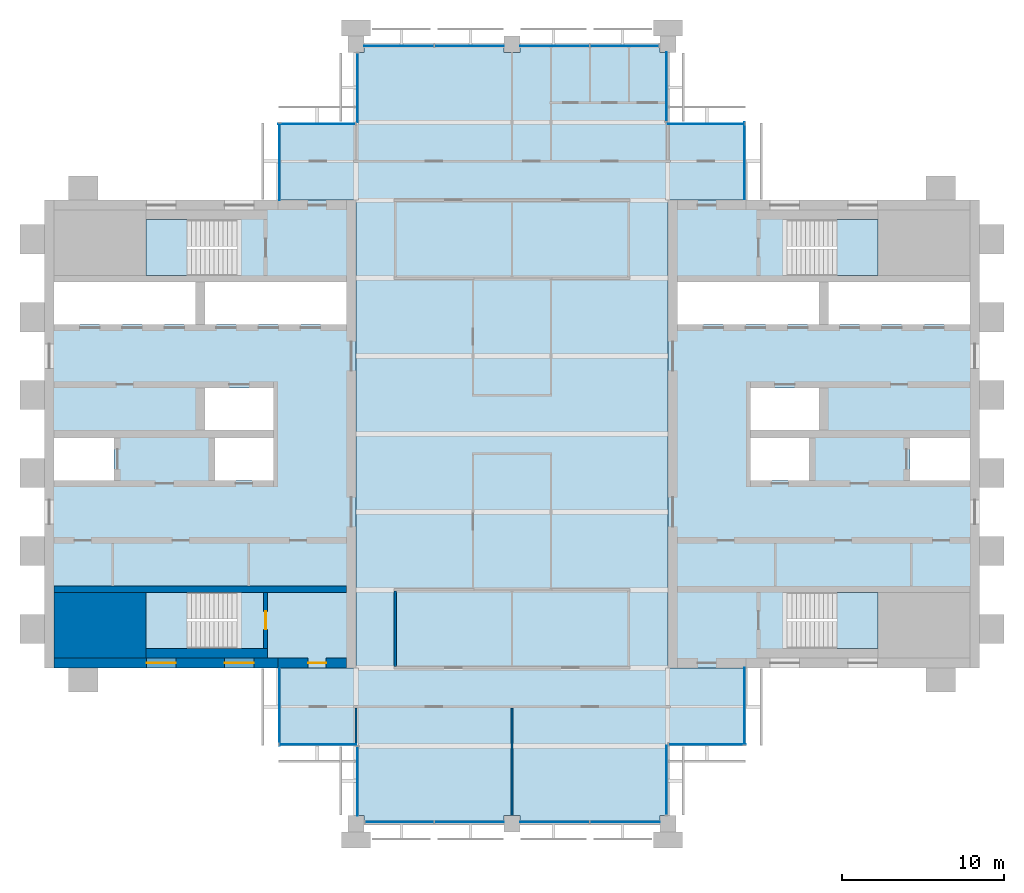
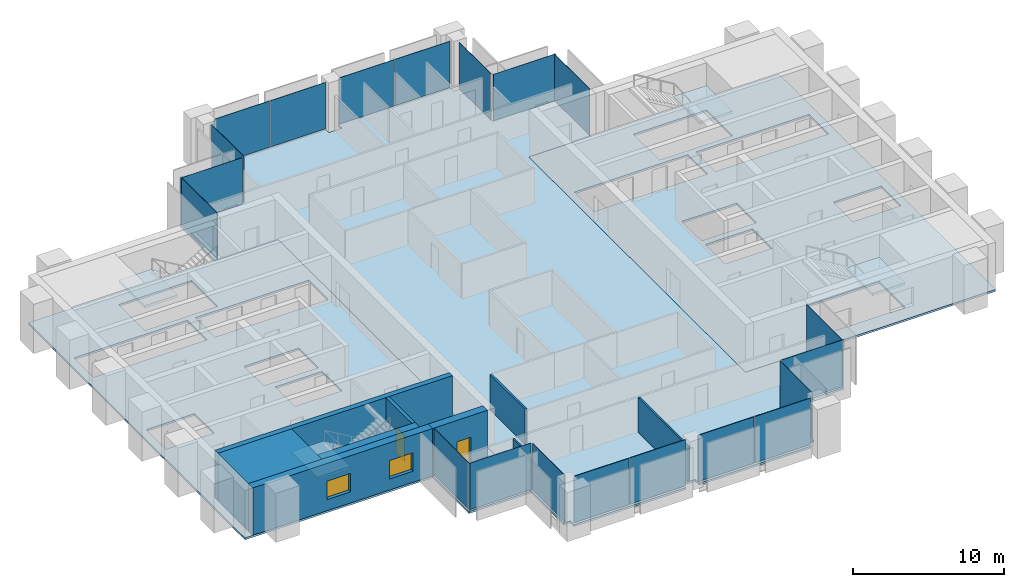
# One storey, part 7 of 12: 20 plates, 9 walls, 7 slabs, 2 doors, 2 windows, 4 openings, 18 elements without a shape of their own.
"""IFC4 building model written with IfcOpenShell, lengths in metres."""

from ifc_helpers import new_model, si_unit, direction, frame, frame_2d, origin, origin_2d, place, context, subcontext, project, spatial, polyline, rectangle, outline, extrude, material, layer, layer_set, type_object, element, fill, aggregate, save


model = new_model("IFC4")

# Units and contexts
model_context = context("Model", 3, precision=1e-05, world=origin(), true_north=direction((0.0, 1.0)))
body_context = subcontext(model_context, "Body", "Model", "MODEL_VIEW")
ifc_project = project(units=[si_unit("LENGTHUNIT", "METRE"), si_unit("AREAUNIT", "SQUARE_METRE"), si_unit("VOLUMEUNIT", "CUBIC_METRE"), si_unit("PLANEANGLEUNIT", "RADIAN"), si_unit("MASSUNIT", "GRAM", prefix="KILO")], contexts=[model_context])

# Site, building, storey
site_placement = place(None, origin())
site = spatial("IfcSite", under=ifc_project, at=site_placement, CompositionType="ELEMENT")
building_placement = place(site_placement, origin())
building = spatial("IfcBuilding", under=site, at=building_placement, Name="Baori Bourse Tower", CompositionType="ELEMENT")
storey_placement = place(building_placement, frame((0.0, 0.0, 298.300048828125)))
storey = spatial("IfcBuildingStorey", under=building, at=storey_placement, Name="L65", CompositionType="ELEMENT", Elevation=298.300048828125)

# Curtain wall, plate
ifc_material_1 = material(Name="Pale anodised aluminium", Category="aluminium")
curtain_wall_type_1 = type_object("IfcCurtainWallType", Name="CW2 Curtain wall", PredefinedType="NOTDEFINED", material=ifc_material_1)
curtain_wall_1_placement = place(storey_placement, origin())
curtain_wall_1 = element("IfcCurtainWall", 1, at=curtain_wall_1_placement, inside=storey, type_object=curtain_wall_type_1, Name="Curtain wall CW2 L65 1", PredefinedType="NOTDEFINED")
ifc_material_2 = material(Name="Clear glass", Category="glass")
ifc_layer_1 = layer(ifc_material_2, 0.030029296875)
ifc_layer_set_1 = layer_set([ifc_layer_1], Name="CW2 Curtain wall panel")
plate_type_1 = type_object("IfcPlateType", Name="CW2 Curtain wall panel", PredefinedType="CURTAIN_PANEL", material=ifc_layer_set_1)
plate_1_placement = place(storey_placement, frame((43.110107421875, 40.827392578125, 0.06982421875), z_axis=(0.0, 0.0, 1.0), x_axis=(0.0, 1.0, 0.0)))
plate_1 = element("IfcPlate", 2, at=plate_1_placement, type_object=plate_type_1, Name="Curtain wall CW2 panel", PredefinedType="CURTAIN_PANEL", context=body_context, shape_type="SweptSolid", body=[
    extrude(rectangle(XDim=4.7451171875, YDim=0.030029296875, at=origin_2d()), origin(), (0.0, 0.0, 1.0), 3.77001953125),
])
aggregate(curtain_wall_1, [plate_1])

curtain_wall_2_placement = place(storey_placement, origin())
curtain_wall_2 = element("IfcCurtainWall", 3, at=curtain_wall_2_placement, inside=storey, type_object=curtain_wall_type_1, Name="Curtain wall CW2 L65 2", PredefinedType="NOTDEFINED")
plate_2_placement = place(storey_placement, frame((40.7724609375, 43.110107421875, 0.06982421875), z_axis=(0.0, 0.0, 1.0), x_axis=(-1.0, 0.0, 0.0)))
plate_2 = element("IfcPlate", 4, at=plate_2_placement, type_object=plate_type_1, Name="Curtain wall CW2 panel", PredefinedType="CURTAIN_PANEL", context=body_context, shape_type="SweptSolid", body=[
    extrude(rectangle(XDim=4.7451171875, YDim=0.030029296875, at=origin_2d()), origin(), (0.0, 0.0, 1.0), 3.77001953125),
])
aggregate(curtain_wall_2, [plate_2])

curtain_wall_3_placement = place(storey_placement, origin())
curtain_wall_3 = element("IfcCurtainWall", 5, at=curtain_wall_3_placement, inside=storey, type_object=curtain_wall_type_1, Name="Curtain wall CW2 L65 3", PredefinedType="NOTDEFINED")
plate_3_placement = place(storey_placement, frame((38.31005859375, 45.37744140625, 0.06982421875), z_axis=(0.0, 0.0, 1.0), x_axis=(0.0, 1.0, 0.0)))
plate_3 = element("IfcPlate", 6, at=plate_3_placement, type_object=plate_type_1, Name="Curtain wall CW2 panel", PredefinedType="CURTAIN_PANEL", context=body_context, shape_type="SweptSolid", body=[
    extrude(rectangle(XDim=4.2451171875, YDim=0.030029296875, at=origin_2d()), origin(), (0.0, 0.0, 1.0), 3.77001953125),
])
aggregate(curtain_wall_3, [plate_3])

curtain_wall_4_placement = place(storey_placement, origin())
curtain_wall_4 = element("IfcCurtainWall", 7, at=curtain_wall_4_placement, inside=storey, type_object=curtain_wall_type_1, Name="Curtain wall CW2 L65 5", PredefinedType="NOTDEFINED")
plate_4_placement = place(storey_placement, frame((19.2900390625, 45.322509765625, 0.06982421875), z_axis=(0.0, 0.0, 1.0), x_axis=(0.0, -1.0, 0.0)))
plate_4 = element("IfcPlate", 8, at=plate_4_placement, type_object=plate_type_1, Name="Curtain wall CW2 panel", PredefinedType="CURTAIN_PANEL", context=body_context, shape_type="SweptSolid", body=[
    extrude(rectangle(XDim=4.2451171875, YDim=0.030029296875, at=origin_2d()), origin(), (0.0, 0.0, 1.0), 3.77001953125),
])
aggregate(curtain_wall_4, [plate_4])

curtain_wall_5_placement = place(storey_placement, origin())
curtain_wall_5 = element("IfcCurtainWall", 9, at=curtain_wall_5_placement, inside=storey, type_object=curtain_wall_type_1, Name="Curtain wall CW2 L65 6", PredefinedType="NOTDEFINED")
plate_5_placement = place(storey_placement, frame((16.7724609375, 43.110107421875, 0.06982421875), z_axis=(0.0, 0.0, 1.0), x_axis=(-1.0, 0.0, 0.0)))
plate_5 = element("IfcPlate", 10, at=plate_5_placement, type_object=plate_type_1, Name="Curtain wall CW2 panel", PredefinedType="CURTAIN_PANEL", context=body_context, shape_type="SweptSolid", body=[
    extrude(rectangle(XDim=4.7451171875, YDim=0.030029296875, at=origin_2d()), origin(), (0.0, 0.0, 1.0), 3.77001953125),
])
aggregate(curtain_wall_5, [plate_5])

curtain_wall_6_placement = place(storey_placement, origin())
curtain_wall_6 = element("IfcCurtainWall", 11, at=curtain_wall_6_placement, inside=storey, type_object=curtain_wall_type_1, Name="Curtain wall CW2 L65 7", PredefinedType="NOTDEFINED")
plate_6_placement = place(storey_placement, frame((14.489990234375, 40.7724609375, 0.06982421875), z_axis=(0.0, 0.0, 1.0), x_axis=(0.0, -1.0, 0.0)))
plate_6 = element("IfcPlate", 12, at=plate_6_placement, type_object=plate_type_1, Name="Curtain wall CW2 panel", PredefinedType="CURTAIN_PANEL", context=body_context, shape_type="SweptSolid", body=[
    extrude(rectangle(XDim=4.7451171875, YDim=0.030029296875, at=origin_2d()), origin(), (0.0, 0.0, 1.0), 3.77001953125),
])
aggregate(curtain_wall_6, [plate_6])

curtain_wall_7_placement = place(storey_placement, origin())
curtain_wall_7 = element("IfcCurtainWall", 13, at=curtain_wall_7_placement, inside=storey, type_object=curtain_wall_type_1, Name="Curtain wall CW2 L65 8", PredefinedType="NOTDEFINED")
plate_7_placement = place(storey_placement, frame((14.489990234375, 7.172607421875, 0.06982421875), z_axis=(0.0, 0.0, 1.0), x_axis=(0.0, -1.0, 0.0)))
plate_7 = element("IfcPlate", 14, at=plate_7_placement, type_object=plate_type_1, Name="Curtain wall CW2 panel", PredefinedType="CURTAIN_PANEL", context=body_context, shape_type="SweptSolid", body=[
    extrude(rectangle(XDim=4.7451171875, YDim=0.030029296875, at=origin_2d()), origin(), (0.0, 0.0, 1.0), 3.77001953125),
])
aggregate(curtain_wall_7, [plate_7])

curtain_wall_8_placement = place(storey_placement, origin())
curtain_wall_8 = element("IfcCurtainWall", 15, at=curtain_wall_8_placement, inside=storey, type_object=curtain_wall_type_1, Name="Curtain wall CW2 L65 9", PredefinedType="NOTDEFINED")
plate_8_placement = place(storey_placement, frame((16.827392578125, 4.889892578125, 0.06982421875), z_axis=(0.0, 0.0, 1.0), x_axis=(1.0, 0.0, 0.0)))
plate_8 = element("IfcPlate", 16, at=plate_8_placement, type_object=plate_type_1, Name="Curtain wall CW2 panel", PredefinedType="CURTAIN_PANEL", context=body_context, shape_type="SweptSolid", body=[
    extrude(rectangle(XDim=4.7451171875, YDim=0.030029296875, at=origin_2d()), origin(), (0.0, 0.0, 1.0), 3.77001953125),
])
aggregate(curtain_wall_8, [plate_8])

curtain_wall_9_placement = place(storey_placement, origin())
curtain_wall_9 = element("IfcCurtainWall", 17, at=curtain_wall_9_placement, inside=storey, type_object=curtain_wall_type_1, Name="Curtain wall CW2 L65 10", PredefinedType="NOTDEFINED")
plate_9_placement = place(storey_placement, frame((19.2900390625, 2.62255859375, 0.06982421875), z_axis=(0.0, 0.0, 1.0), x_axis=(0.0, -1.0, 0.0)))
plate_9 = element("IfcPlate", 18, at=plate_9_placement, type_object=plate_type_1, Name="Curtain wall CW2 panel", PredefinedType="CURTAIN_PANEL", context=body_context, shape_type="SweptSolid", body=[
    extrude(rectangle(XDim=4.2451171875, YDim=0.030029296875, at=origin_2d()), origin(), (0.0, 0.0, 1.0), 3.77001953125),
])
aggregate(curtain_wall_9, [plate_9])

curtain_wall_10_placement = place(storey_placement, origin())
curtain_wall_10 = element("IfcCurtainWall", 19, at=curtain_wall_10_placement, inside=storey, type_object=curtain_wall_type_1, Name="Curtain wall CW2 L65 12", PredefinedType="NOTDEFINED")
plate_10_placement = place(storey_placement, frame((38.31005859375, 2.677490234375, 0.06982421875), z_axis=(0.0, 0.0, 1.0), x_axis=(0.0, 1.0, 0.0)))
plate_10 = element("IfcPlate", 20, at=plate_10_placement, type_object=plate_type_1, Name="Curtain wall CW2 panel", PredefinedType="CURTAIN_PANEL", context=body_context, shape_type="SweptSolid", body=[
    extrude(rectangle(XDim=4.2451171875, YDim=0.030029296875, at=origin_2d()), origin(), (0.0, 0.0, 1.0), 3.77001953125),
])
aggregate(curtain_wall_10, [plate_10])

curtain_wall_11_placement = place(storey_placement, origin())
curtain_wall_11 = element("IfcCurtainWall", 21, at=curtain_wall_11_placement, inside=storey, type_object=curtain_wall_type_1, Name="Curtain wall CW2 L65 13", PredefinedType="NOTDEFINED")
plate_11_placement = place(storey_placement, frame((40.827392578125, 4.889892578125, 0.06982421875), z_axis=(0.0, 0.0, 1.0), x_axis=(1.0, 0.0, 0.0)))
plate_11 = element("IfcPlate", 22, at=plate_11_placement, type_object=plate_type_1, Name="Curtain wall CW2 panel", PredefinedType="CURTAIN_PANEL", context=body_context, shape_type="SweptSolid", body=[
    extrude(rectangle(XDim=4.7451171875, YDim=0.030029296875, at=origin_2d()), origin(), (0.0, 0.0, 1.0), 3.77001953125),
])
aggregate(curtain_wall_11, [plate_11])

curtain_wall_12_placement = place(storey_placement, origin())
curtain_wall_12 = element("IfcCurtainWall", 23, at=curtain_wall_12_placement, inside=storey, type_object=curtain_wall_type_1, Name="Curtain wall CW2 L65 14", PredefinedType="NOTDEFINED")
plate_12_placement = place(storey_placement, frame((43.110107421875, 7.2275390625, 0.06982421875), z_axis=(0.0, 0.0, 1.0), x_axis=(0.0, 1.0, 0.0)))
plate_12 = element("IfcPlate", 24, at=plate_12_placement, type_object=plate_type_1, Name="Curtain wall CW2 panel", PredefinedType="CURTAIN_PANEL", context=body_context, shape_type="SweptSolid", body=[
    extrude(rectangle(XDim=4.7451171875, YDim=0.030029296875, at=origin_2d()), origin(), (0.0, 0.0, 1.0), 3.77001953125),
])
aggregate(curtain_wall_12, [plate_12])

# Curtain wall, plates
ifc_material_3 = material(Name="Pale anodised aluminium", Category="aluminium")
curtain_wall_type_2 = type_object("IfcCurtainWallType", Name="CW5 Curtain wall", PredefinedType="NOTDEFINED", material=ifc_material_3)
curtain_wall_13_placement = place(storey_placement, origin())
curtain_wall_13 = element("IfcCurtainWall", 25, at=curtain_wall_13_placement, inside=storey, type_object=curtain_wall_type_2, Name="Curtain wall CW5 L65 4", PredefinedType="NOTDEFINED")
ifc_material_4 = material(Name="Clear glass", Category="glass")
ifc_layer_2 = layer(ifc_material_4, 0.035888671875)
ifc_layer_set_2 = layer_set([ifc_layer_2], Name="CW5 Curtain wall panel")
plate_type_2 = type_object("IfcPlateType", Name="CW5 Curtain wall panel", PredefinedType="CURTAIN_PANEL", material=ifc_layer_set_2)
plate_13_placement = place(storey_placement, frame((35.733642578125, 47.889892578125, 0.0849609375), z_axis=(0.0, 0.0, 1.0), x_axis=(-1.0, 0.0, 0.0)))
plate_13 = element("IfcPlate", 26, at=plate_13_placement, type_object=plate_type_2, Name="Curtain wall CW5 panel", PredefinedType="CURTAIN_PANEL", context=body_context, shape_type="SweptSolid", body=[
    extrude(rectangle(XDim=4.202392578125, YDim=0.035888671875, at=origin_2d()), origin(), (0.0, 0.0, 1.0), 3.7548828125),
])
plate_14_placement = place(storey_placement, frame((31.433837890625, 47.889892578125, 0.0849609375), z_axis=(0.0, 0.0, 1.0), x_axis=(-1.0, 0.0, 0.0)))
plate_14 = element("IfcPlate", 27, at=plate_14_placement, type_object=plate_type_2, Name="Curtain wall CW5 panel", PredefinedType="CURTAIN_PANEL", context=body_context, shape_type="SweptSolid", body=[
    extrude(rectangle(XDim=4.267578125, YDim=0.035888671875, at=origin_2d()), origin(), (0.0, 0.0, 1.0), 3.7548828125),
])
plate_15_placement = place(storey_placement, frame((26.166259765625, 47.889892578125, 0.0849609375), z_axis=(0.0, 0.0, 1.0), x_axis=(-1.0, 0.0, 0.0)))
plate_15 = element("IfcPlate", 28, at=plate_15_placement, type_object=plate_type_2, Name="Curtain wall CW5 panel", PredefinedType="CURTAIN_PANEL", context=body_context, shape_type="SweptSolid", body=[
    extrude(rectangle(XDim=4.267578125, YDim=0.035888671875, at=origin_2d()), origin(), (0.0, 0.0, 1.0), 3.7548828125),
])
plate_16_placement = place(storey_placement, frame((21.833740234375, 47.889892578125, 0.0849609375), z_axis=(0.0, 0.0, 1.0), x_axis=(-1.0, 0.0, 0.0)))
plate_16 = element("IfcPlate", 29, at=plate_16_placement, type_object=plate_type_2, Name="Curtain wall CW5 panel", PredefinedType="CURTAIN_PANEL", context=body_context, shape_type="SweptSolid", body=[
    extrude(rectangle(XDim=4.267578125, YDim=0.035888671875, at=origin_2d()), origin(), (0.0, 0.0, 1.0), 3.7548828125),
])
aggregate(curtain_wall_13, [plate_13, plate_14, plate_15, plate_16])

curtain_wall_14_placement = place(storey_placement, origin())
curtain_wall_14 = element("IfcCurtainWall", 30, at=curtain_wall_14_placement, inside=storey, type_object=curtain_wall_type_2, Name="Curtain wall CW5 L65 11", PredefinedType="NOTDEFINED")
plate_17_placement = place(storey_placement, frame((21.8662109375, 0.110107421875, 0.0849609375), z_axis=(0.0, 0.0, 1.0), x_axis=(1.0, 0.0, 0.0)))
plate_17 = element("IfcPlate", 31, at=plate_17_placement, type_object=plate_type_2, Name="Curtain wall CW5 panel", PredefinedType="CURTAIN_PANEL", context=body_context, shape_type="SweptSolid", body=[
    extrude(rectangle(XDim=4.202392578125, YDim=0.035888671875, at=origin_2d()), origin(), (0.0, 0.0, 1.0), 3.7548828125),
])
plate_18_placement = place(storey_placement, frame((26.166259765625, 0.110107421875, 0.0849609375), z_axis=(0.0, 0.0, 1.0), x_axis=(1.0, 0.0, 0.0)))
plate_18 = element("IfcPlate", 32, at=plate_18_placement, type_object=plate_type_2, Name="Curtain wall CW5 panel", PredefinedType="CURTAIN_PANEL", context=body_context, shape_type="SweptSolid", body=[
    extrude(rectangle(XDim=4.267578125, YDim=0.035888671875, at=origin_2d()), origin(), (0.0, 0.0, 1.0), 3.7548828125),
])
plate_19_placement = place(storey_placement, frame((31.433837890625, 0.110107421875, 0.0849609375), z_axis=(0.0, 0.0, 1.0), x_axis=(1.0, 0.0, 0.0)))
plate_19 = element("IfcPlate", 33, at=plate_19_placement, type_object=plate_type_2, Name="Curtain wall CW5 panel", PredefinedType="CURTAIN_PANEL", context=body_context, shape_type="SweptSolid", body=[
    extrude(rectangle(XDim=4.267578125, YDim=0.035888671875, at=origin_2d()), origin(), (0.0, 0.0, 1.0), 3.7548828125),
])
plate_20_placement = place(storey_placement, frame((35.766357421875, 0.110107421875, 0.0849609375), z_axis=(0.0, 0.0, 1.0), x_axis=(1.0, 0.0, 0.0)))
plate_20 = element("IfcPlate", 34, at=plate_20_placement, type_object=plate_type_2, Name="Curtain wall CW5 panel", PredefinedType="CURTAIN_PANEL", context=body_context, shape_type="SweptSolid", body=[
    extrude(rectangle(XDim=4.267578125, YDim=0.035888671875, at=origin_2d()), origin(), (0.0, 0.0, 1.0), 3.7548828125),
])
aggregate(curtain_wall_14, [plate_17, plate_18, plate_19, plate_20])

# Slabs
ifc_material_5 = material(Name="Concrete f'c 50 MPa", Category="concrete")
ifc_layer_3 = layer(ifc_material_5, 0.159912109375)
ifc_layer_set_3 = layer_set([ifc_layer_3], Name="Core slab 160")
slab_type_1 = type_object("IfcSlabType", Name="Core slab 160", PredefinedType="FLOOR", material=ifc_layer_set_3)
slab_1_placement = place(storey_placement, frame((0.0, 0.0, -0.16015625)))
element("IfcSlab", 35, at=slab_1_placement, inside=storey, type_object=slab_type_1, Name="Core floor slab W01", PredefinedType="FLOOR", context=body_context, shape_type="SweptSolid", body=[
    extrude(outline(polyline([(19.199951171875, 38.39990234375), (0.0, 38.39990234375), (0.0, 9.60009765625), (19.199951171875, 9.60009765625), (19.199951171875, 38.39990234375)]), holes=[polyline([(9.89990234375, 33.35009765625), (18.60009765625, 33.35009765625), (18.60009765625, 30.75), (9.89990234375, 30.75), (9.89990234375, 33.35009765625)]), polyline([(10.5, 21.14990234375), (10.5, 23.75), (14.10009765625, 23.75), (14.10009765625, 21.14990234375), (10.5, 21.14990234375)]), polyline([(14.10009765625, 24.25), (9.89990234375, 24.25), (9.89990234375, 26.85009765625), (14.10009765625, 26.85009765625), (14.10009765625, 24.25)]), polyline([(6.25, 14.25), (11.84912109375, 14.25), (11.84912109375, 10.800048828125), (6.25, 10.800048828125), (6.25, 14.25)]), polyline([(11.84912109375, 37.199951171875), (11.84912109375, 33.75), (6.25, 33.75), (6.25, 37.199951171875), (11.84912109375, 37.199951171875)]), polyline([(0.60009765625, 30.75), (0.60009765625, 33.35009765625), (9.300048828125, 33.35009765625), (9.300048828125, 30.75), (0.60009765625, 30.75)]), polyline([(4.300048828125, 23.75), (4.300048828125, 21.14990234375), (0.60009765625, 21.14990234375), (0.60009765625, 23.75), (4.300048828125, 23.75)])]), origin(), (0.0, 0.0, 1.0), 0.16015625),
])
slab_2_placement = place(storey_placement, frame((0.0, 0.0, -0.16015625)))
element("IfcSlab", 36, at=slab_2_placement, inside=storey, type_object=slab_type_1, Name="Core floor slab E01", PredefinedType="FLOOR", context=body_context, shape_type="SweptSolid", body=[
    extrude(outline(polyline([(57.60009765625, 9.60009765625), (57.60009765625, 38.39990234375), (38.39990234375, 38.39990234375), (38.39990234375, 9.60009765625), (57.60009765625, 9.60009765625)]), holes=[polyline([(48.300048828125, 33.35009765625), (57.0, 33.35009765625), (57.0, 30.75), (48.300048828125, 30.75), (48.300048828125, 33.35009765625)]), polyline([(57.0, 21.14990234375), (53.300048828125, 21.14990234375), (53.300048828125, 23.75), (57.0, 23.75), (57.0, 21.14990234375)]), polyline([(45.750732421875, 14.25), (51.35009765625, 14.25), (51.35009765625, 10.800048828125), (45.750732421875, 10.800048828125), (45.750732421875, 14.25)]), polyline([(51.35009765625, 37.199951171875), (51.35009765625, 33.75), (45.750732421875, 33.75), (45.750732421875, 37.199951171875), (51.35009765625, 37.199951171875)]), polyline([(43.5, 24.25), (43.5, 26.85009765625), (47.699951171875, 26.85009765625), (47.699951171875, 24.25), (43.5, 24.25)]), polyline([(47.699951171875, 33.35009765625), (47.699951171875, 30.75), (39.0, 30.75), (39.0, 33.35009765625), (47.699951171875, 33.35009765625)]), polyline([(43.5, 23.75), (47.10009765625, 23.75), (47.10009765625, 21.14990234375), (43.5, 21.14990234375), (43.5, 23.75)])]), origin(), (0.0, 0.0, 1.0), 0.16015625),
])

# Stair, slab
ifc_material_6 = material(Name="Concrete f'c 50 MPa", Category="concrete")
stair_type = type_object("IfcStairType", Name="Core stair", PredefinedType="HALF_TURN_STAIR", material=ifc_material_6)
stair_1_placement = place(storey_placement, origin())
stair_1 = element("IfcStair", 37, at=stair_1_placement, inside=storey, type_object=stair_type, Name="L65 Stair WA", PredefinedType="HALF_TURN_STAIR")
ifc_material_7 = material(Name="Concrete f'c 50 MPa", Category="concrete")
slab_type_2 = type_object("IfcSlabType", Name="Core stair landing", PredefinedType="LANDING", material=ifc_material_7)
slab_3_placement = place(storey_placement, frame((0.0, 0.0, 1.800048828125)))
slab_3 = element("IfcSlab", 38, at=slab_3_placement, type_object=slab_type_2, Name="ST1 landing 1", PredefinedType="LANDING", context=body_context, shape_type="SweptSolid", body=[
    extrude(outline(polyline([(8.77001953125, 14.25), (6.25, 14.25), (6.25, 10.800048828125), (8.77001953125, 10.800048828125), (8.77001953125, 14.25)])), origin(), (0.0, 0.0, 1.0), 0.199951171875),
])
aggregate(stair_1, [slab_3])

stair_2_placement = place(storey_placement, origin())
stair_2 = element("IfcStair", 39, at=stair_2_placement, inside=storey, type_object=stair_type, Name="L65 Stair WB", PredefinedType="HALF_TURN_STAIR")
slab_4_placement = place(storey_placement, frame((0.0, 0.0, 1.800048828125)))
slab_4 = element("IfcSlab", 40, at=slab_4_placement, type_object=slab_type_2, Name="ST2 landing 1", PredefinedType="LANDING", context=body_context, shape_type="SweptSolid", body=[
    extrude(outline(polyline([(8.77001953125, 37.199951171875), (6.25, 37.199951171875), (6.25, 33.75), (8.77001953125, 33.75), (8.77001953125, 37.199951171875)])), origin(), (0.0, 0.0, 1.0), 0.199951171875),
])
aggregate(stair_2, [slab_4])

stair_3_placement = place(storey_placement, origin())
stair_3 = element("IfcStair", 41, at=stair_3_placement, inside=storey, type_object=stair_type, Name="L65 Stair EA", PredefinedType="HALF_TURN_STAIR")
slab_5_placement = place(storey_placement, frame((0.0, 0.0, 1.800048828125)))
slab_5 = element("IfcSlab", 42, at=slab_5_placement, type_object=slab_type_2, Name="ST3 landing 1", PredefinedType="LANDING", context=body_context, shape_type="SweptSolid", body=[
    extrude(outline(polyline([(48.830078125, 10.800048828125), (51.35009765625, 10.800048828125), (51.35009765625, 14.25), (48.830078125, 14.25), (48.830078125, 10.800048828125)])), origin(), (0.0, 0.0, 1.0), 0.199951171875),
])
aggregate(stair_3, [slab_5])

stair_4_placement = place(storey_placement, origin())
stair_4 = element("IfcStair", 43, at=stair_4_placement, inside=storey, type_object=stair_type, Name="L65 Stair EB", PredefinedType="HALF_TURN_STAIR")
slab_6_placement = place(storey_placement, frame((0.0, 0.0, 1.800048828125)))
slab_6 = element("IfcSlab", 44, at=slab_6_placement, type_object=slab_type_2, Name="ST4 landing 1", PredefinedType="LANDING", context=body_context, shape_type="SweptSolid", body=[
    extrude(outline(polyline([(48.830078125, 33.75), (51.35009765625, 33.75), (51.35009765625, 37.199951171875), (48.830078125, 37.199951171875), (48.830078125, 33.75)])), origin(), (0.0, 0.0, 1.0), 0.199951171875),
])
aggregate(stair_4, [slab_6])

# Slab
ifc_material_8 = material(Name="Concrete f'c 40 MPa", Category="concrete")
ifc_layer_4 = layer(ifc_material_8, 0.159912109375)
ifc_layer_set_4 = layer_set([ifc_layer_4], Name="Floor slab 160")
slab_type_3 = type_object("IfcSlabType", Name="Floor slab 160", PredefinedType="FLOOR", material=ifc_layer_set_4)
slab_7_placement = place(storey_placement, frame((0.0, 0.0, -0.16015625)))
element("IfcSlab", 45, at=slab_7_placement, inside=storey, type_object=slab_type_3, Name="Floor slab L65", PredefinedType="FLOOR", context=body_context, shape_type="SweptSolid", body=[
    extrude(outline(polyline([(19.199951171875, 4.800048828125), (14.39990234375, 4.800048828125), (14.39990234375, 9.60009765625), (19.199951171875, 9.60009765625), (19.199951171875, 38.39990234375), (14.39990234375, 38.39990234375), (14.39990234375, 43.199951171875), (19.199951171875, 43.199951171875), (19.199951171875, 47.5), (19.699951171875, 47.5), (19.699951171875, 48.0), (28.300048828125, 48.0), (28.300048828125, 47.5), (29.300048828125, 47.5), (29.300048828125, 48.0), (37.89990234375, 48.0), (37.89990234375, 47.5), (38.39990234375, 47.5), (38.39990234375, 43.199951171875), (43.199951171875, 43.199951171875), (43.199951171875, 38.39990234375), (38.39990234375, 38.39990234375), (38.39990234375, 9.60009765625), (43.199951171875, 9.60009765625), (43.199951171875, 4.800048828125), (38.39990234375, 4.800048828125), (38.39990234375, 0.5), (37.89990234375, 0.5), (37.89990234375, 0.0), (29.300048828125, 0.0), (29.300048828125, 0.5), (28.300048828125, 0.5), (28.300048828125, 0.0), (19.699951171875, 0.0), (19.699951171875, 0.5), (19.199951171875, 0.5), (19.199951171875, 4.800048828125)])), origin(), (0.0, 0.0, 1.0), 0.16015625),
])

# Wall
ifc_material_9 = material(Name="Concrete f'c 40 MPa", Category="concrete")
wall_type_1 = type_object("IfcWallType", Name="Core corner block f'c 40", PredefinedType="SHEAR", material=ifc_material_9)
wall_1_placement = place(storey_placement, frame((0.60009765625, 12.22509765625, 0.0), z_axis=(0.0, 0.0, 1.0), x_axis=(1.0, 0.0, 0.0)))
element("IfcWall", 46, at=wall_1_placement, inside=storey, type_object=wall_type_1, Name="Core wall W05", PredefinedType="SHEAR", context=body_context, shape_type="SweptSolid", body=[
    extrude(rectangle(XDim=5.64990234375, YDim=4.050048828125, at=frame_2d((2.824951171875, 0.0))), origin(), (0.0, 0.0, 1.0), 3.83984375),
])

# Wall, openings, windows
ifc_material_10 = material(Name="Concrete f'c 40 MPa", Category="concrete")
ifc_layer_5 = layer(ifc_material_10, 0.60009765625)
ifc_layer_set_5 = layer_set([ifc_layer_5], Name="Core wall 600 f'c 40")
wall_type_2 = type_object("IfcWallType", Name="Core wall 600 f'c 40", PredefinedType="SHEAR", material=ifc_layer_set_5)
wall_2_placement = place(storey_placement, frame((14.39990234375, 9.89990234375, 0.0), z_axis=(0.0, 0.0, 1.0), x_axis=(-1.0, 0.0, 0.0)))
wall_2 = element("IfcWall", 47, at=wall_2_placement, inside=storey, type_object=wall_type_2, Name="Core wall W02", PredefinedType="SHEAR", context=body_context, shape_type="SweptSolid", body=[
    extrude(rectangle(XDim=13.7998046875, YDim=0.60009765625, at=frame_2d((6.89990234375, 0.0))), origin(), (0.0, 0.0, 1.0), 3.83984375),
])
opening_1_placement = place(wall_2_placement, frame((6.300048828125, 0.0, 0.89990234375)))
opening_1 = element("IfcOpeningElement", 48, at=opening_1_placement, cuts=wall_2, Name="Opening L65-KW103", PredefinedType="OPENING", context=body_context, shape_type="SweptSolid", body=[
    extrude(rectangle(XDim=1.800048828125, YDim=1.5, at=frame_2d((0.89990234375, 0.75))), frame((0.0, 0.31005859375, 0.0), z_axis=(0.0, -1.0, 0.0), x_axis=(1.0, 0.0, 0.0)), (0.0, 0.0, 1.0), 0.6201171875),
])
opening_2_placement = place(wall_2_placement, frame((1.5, 0.0, 0.89990234375)))
opening_2 = element("IfcOpeningElement", 49, at=opening_2_placement, cuts=wall_2, Name="Opening L65-KW104", PredefinedType="OPENING", context=body_context, shape_type="SweptSolid", body=[
    extrude(rectangle(XDim=1.800048828125, YDim=1.5, at=frame_2d((0.89990234375, 0.75))), frame((0.0, 0.31005859375, 0.0), z_axis=(0.0, -1.0, 0.0), x_axis=(1.0, 0.0, 0.0)), (0.0, 0.0, 1.0), 0.6201171875),
])
ifc_material_11 = material(Name="Pale anodised aluminium", Category="aluminium")
window_type = type_object("IfcWindowType", Name="Stair window 1800 x 1500", PartitioningType="SINGLE_PANEL", PredefinedType="WINDOW", material=ifc_material_11)
window_1_placement = place(opening_1_placement, origin())
window_1 = element("IfcWindow", 50, at=window_1_placement, inside=storey, type_object=window_type, Name="Stair window W L65 3", OverallHeight=1.5, OverallWidth=1.800048828125, PartitioningType="SINGLE_PANEL", PredefinedType="WINDOW", context=body_context, shape_type="SweptSolid", body=[
    extrude(rectangle(XDim=1.800048828125, YDim=1.5, at=frame_2d((0.89990234375, 0.75))), frame((0.0, 0.030029296875, 0.0), z_axis=(0.0, -1.0, 0.0), x_axis=(1.0, 0.0, 0.0)), (0.0, 0.0, 1.0), 0.06005859375),
])
fill(opening_1, window_1)
window_2_placement = place(opening_2_placement, origin())
window_2 = element("IfcWindow", 51, at=window_2_placement, inside=storey, type_object=window_type, Name="Stair window W L65 4", OverallHeight=1.5, OverallWidth=1.800048828125, PartitioningType="SINGLE_PANEL", PredefinedType="WINDOW", context=body_context, shape_type="SweptSolid", body=[
    extrude(rectangle(XDim=1.800048828125, YDim=1.5, at=frame_2d((0.89990234375, 0.75))), frame((0.0, 0.030029296875, 0.0), z_axis=(0.0, -1.0, 0.0), x_axis=(1.0, 0.0, 0.0)), (0.0, 0.0, 1.0), 0.06005859375),
])
fill(opening_2, window_2)

# Wall, opening, door
wall_3_placement = place(storey_placement, frame((18.60009765625, 9.89990234375, 0.0), z_axis=(0.0, 0.0, 1.0), x_axis=(-1.0, 0.0, 0.0)))
wall_3 = element("IfcWall", 52, at=wall_3_placement, inside=storey, type_object=wall_type_2, Name="Core wall W03", PredefinedType="SHEAR", context=body_context, shape_type="SweptSolid", body=[
    extrude(rectangle(XDim=4.2001953125, YDim=0.60009765625, at=frame_2d((2.10009765625, 0.0))), origin(), (0.0, 0.0, 1.0), 3.83984375),
])
opening_3_placement = place(wall_3_placement, frame((1.25, 0.0, 0.0)))
opening_3 = element("IfcOpeningElement", 53, at=opening_3_placement, cuts=wall_3, Name="Opening L65-D102", PredefinedType="OPENING", context=body_context, shape_type="SweptSolid", body=[
    extrude(rectangle(XDim=1.10009765625, YDim=2.10009765625, at=frame_2d((0.550048828125, 1.050048828125))), frame((0.0, 0.31005859375, 0.0), z_axis=(0.0, -1.0, 0.0), x_axis=(1.0, 0.0, 0.0)), (0.0, 0.0, 1.0), 0.6201171875),
])
ifc_material_12 = material(Name="Painted steel door", Category="steel")
door_type = type_object("IfcDoorType", Name="Stair door 1100", OperationType="SINGLE_SWING_LEFT", PredefinedType="DOOR", material=ifc_material_12)
door_1_placement = place(opening_3_placement, origin())
door_1 = element("IfcDoor", 54, at=door_1_placement, inside=storey, type_object=door_type, Name="Stair vestibule door A W L65", OperationType="SINGLE_SWING_LEFT", OverallHeight=2.10009765625, OverallWidth=1.10009765625, PredefinedType="DOOR", context=body_context, shape_type="SweptSolid", body=[
    extrude(rectangle(XDim=1.10009765625, YDim=2.10009765625, at=frame_2d((0.550048828125, 1.050048828125))), frame((0.0, 0.02490234375, 0.0), z_axis=(0.0, -1.0, 0.0), x_axis=(1.0, 0.0, 0.0)), (0.0, 0.0, 1.0), 0.050048828125),
])
fill(opening_3, door_1)

# Walls
ifc_material_13 = material(Name="Gypsum board partition")
ifc_layer_6 = layer(ifc_material_13, 0.14990234375)
ifc_layer_set_6 = layer_set([ifc_layer_6], Name="Corridor partition 150")
wall_type_3 = type_object("IfcWallType", Name="Corridor partition 150", PredefinedType="PARTITIONING", material=ifc_layer_set_6)
wall_4_placement = place(storey_placement, frame((21.60009765625, 9.675048828125, 0.0), z_axis=(0.0, 0.0, 1.0), x_axis=(0.0, 1.0, 0.0)))
element("IfcWall", 55, at=wall_4_placement, inside=storey, type_object=wall_type_3, Name="Partition", PredefinedType="PARTITIONING", context=body_context, shape_type="SweptSolid", body=[
    extrude(rectangle(XDim=4.64990234375, YDim=0.14990234375, at=frame_2d((2.324951171875, 0.0))), origin(), (0.0, 0.0, 1.0), 2.849365234375),
])
ifc_material_14 = material(Name="Gypsum board partition")
ifc_layer_7 = layer(ifc_material_14, 0.125)
ifc_layer_set_7 = layer_set([ifc_layer_7], Name="Partition 125")
wall_type_4 = type_object("IfcWallType", Name="Partition 125", PredefinedType="PARTITIONING", material=ifc_layer_set_7)
wall_5_placement = place(storey_placement, frame((19.199951171875, 4.89990234375, 0.0), z_axis=(0.0, 0.0, 1.0), x_axis=(0.0, 1.0, 0.0)))
element("IfcWall", 56, at=wall_5_placement, inside=storey, type_object=wall_type_4, Name="Partition", PredefinedType="PARTITIONING", context=body_context, shape_type="SweptSolid", body=[
    extrude(rectangle(XDim=2.22509765625, YDim=0.125, at=frame_2d((1.112548828125, 0.0))), origin(), (0.0, 0.0, 1.0), 2.849365234375),
])
wall_6_placement = place(storey_placement, frame((28.800048828125, 0.5, 0.0), z_axis=(0.0, 0.0, 1.0), x_axis=(0.0, 1.0, 0.0)))
element("IfcWall", 57, at=wall_6_placement, inside=storey, type_object=wall_type_4, Name="Partition", PredefinedType="PARTITIONING", context=body_context, shape_type="SweptSolid", body=[
    extrude(rectangle(XDim=6.625, YDim=0.125, at=frame_2d((3.3125, 0.0))), origin(), (0.0, 0.0, 1.0), 2.849365234375),
])

# Wall, opening, door
ifc_material_15 = material(Name="Concrete f'c 40 MPa", Category="concrete")
ifc_layer_8 = layer(ifc_material_15, 0.25)
ifc_layer_set_8 = layer_set([ifc_layer_8], Name="Shaft wall 250 f'c 40")
wall_type_5 = type_object("IfcWallType", Name="Shaft wall 250 f'c 40", PredefinedType="SHEAR", material=ifc_layer_set_8)
wall_7_placement = place(storey_placement, frame((13.625, 10.800048828125, 0.0), z_axis=(0.0, 0.0, 1.0), x_axis=(0.0, 1.0, 0.0)))
wall_7 = element("IfcWall", 58, at=wall_7_placement, inside=storey, type_object=wall_type_5, Name="Core wall W07", PredefinedType="SHEAR", context=body_context, shape_type="SweptSolid", body=[
    extrude(rectangle(XDim=3.449951171875, YDim=0.25, at=frame_2d((1.72509765625, 0.0))), origin(), (0.0, 0.0, 1.0), 3.83984375),
])
opening_4_placement = place(wall_7_placement, frame((1.175048828125, 0.0, 0.0)))
opening_4 = element("IfcOpeningElement", 59, at=opening_4_placement, cuts=wall_7, Name="Opening L65-D101", PredefinedType="OPENING", context=body_context, shape_type="SweptSolid", body=[
    extrude(rectangle(XDim=1.10009765625, YDim=2.10009765625, at=frame_2d((0.550048828125, 1.050048828125))), frame((0.0, 0.135009765625, 0.0), z_axis=(0.0, -1.0, 0.0), x_axis=(1.0, 0.0, 0.0)), (0.0, 0.0, 1.0), 0.27001953125),
])
door_2_placement = place(opening_4_placement, origin())
door_2 = element("IfcDoor", 60, at=door_2_placement, inside=storey, type_object=door_type, Name="Stair door A W L65", OperationType="SINGLE_SWING_LEFT", OverallHeight=2.10009765625, OverallWidth=1.10009765625, PredefinedType="DOOR", context=body_context, shape_type="SweptSolid", body=[
    extrude(rectangle(XDim=1.10009765625, YDim=2.10009765625, at=frame_2d((0.550048828125, 1.050048828125))), frame((0.0, 0.02490234375, 0.0), z_axis=(0.0, -1.0, 0.0), x_axis=(1.0, 0.0, 0.0)), (0.0, 0.0, 1.0), 0.050048828125),
])
fill(opening_4, door_2)

# Walls
ifc_material_16 = material(Name="Concrete f'c 40 MPa", Category="concrete")
ifc_layer_9 = layer(ifc_material_16, 0.39990234375)
ifc_layer_set_9 = layer_set([ifc_layer_9], Name="Shaft wall 400 f'c 40")
wall_type_6 = type_object("IfcWallType", Name="Shaft wall 400 f'c 40", PredefinedType="SHEAR", material=ifc_layer_set_9)
wall_8_placement = place(storey_placement, frame((0.60009765625, 14.449951171875, 0.0), z_axis=(0.0, 0.0, 1.0), x_axis=(1.0, 0.0, 0.0)))
element("IfcWall", 61, at=wall_8_placement, inside=storey, type_object=wall_type_6, Name="Core wall W08", PredefinedType="SHEAR", context=body_context, shape_type="SweptSolid", body=[
    extrude(rectangle(XDim=18.0, YDim=0.39990234375, at=frame_2d((9.0, 0.0))), origin(), (0.0, 0.0, 1.0), 3.83984375),
])
ifc_material_17 = material(Name="Concrete f'c 40 MPa", Category="concrete")
ifc_layer_10 = layer(ifc_material_17, 0.60009765625)
ifc_layer_set_10 = layer_set([ifc_layer_10], Name="Shaft wall 600 f'c 40")
wall_type_7 = type_object("IfcWallType", Name="Shaft wall 600 f'c 40", PredefinedType="SHEAR", material=ifc_layer_set_10)
wall_9_placement = place(storey_placement, frame((6.25, 10.5, 0.0), z_axis=(0.0, 0.0, 1.0), x_axis=(1.0, 0.0, 0.0)))
element("IfcWall", 62, at=wall_9_placement, inside=storey, type_object=wall_type_7, Name="Core wall W06", PredefinedType="SHEAR", context=body_context, shape_type="SweptSolid", body=[
    extrude(rectangle(XDim=7.5, YDim=0.60009765625, at=frame_2d((3.75, 0.0))), origin(), (0.0, 0.0, 1.0), 3.83984375),
])

save(model, "model.ifc")
